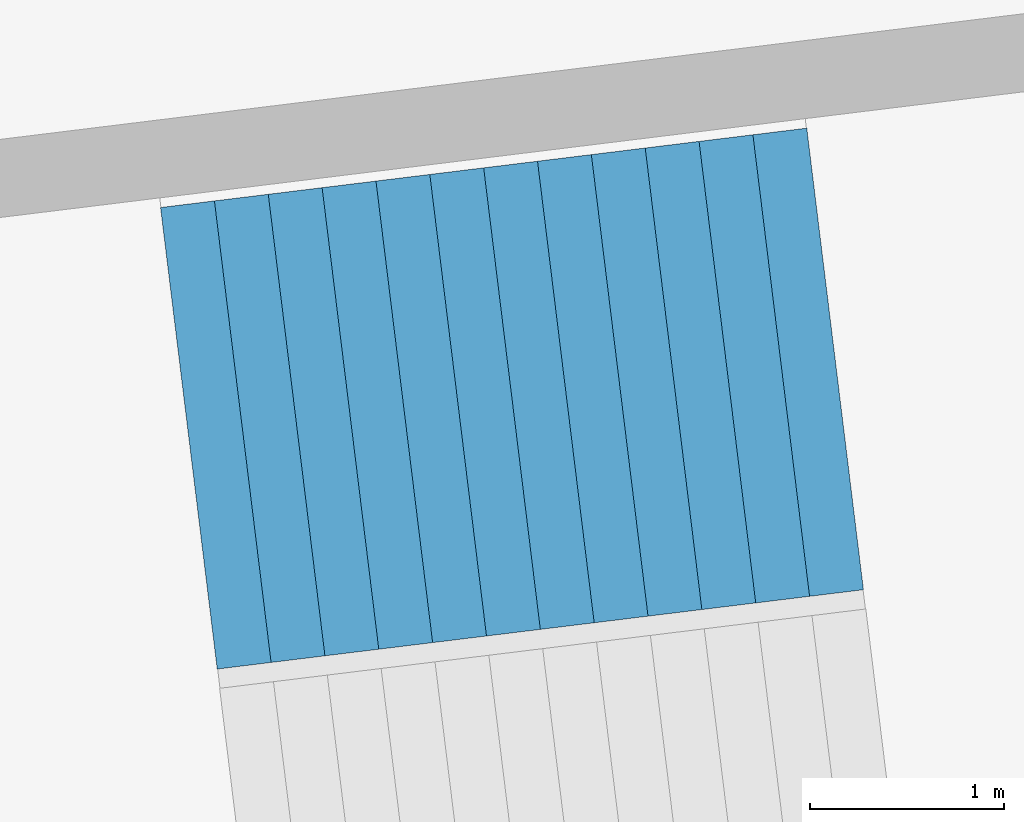
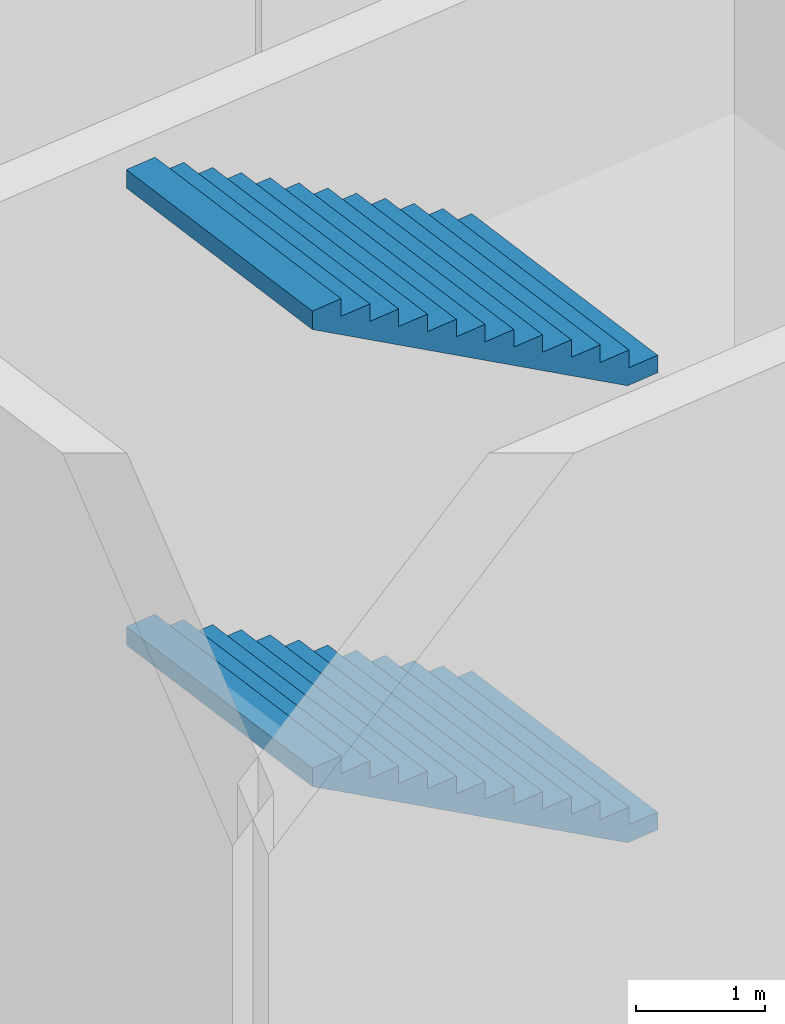
# One storey, part 40 of 47: 2 stair flights, 1 element without a shape of its own.
"""IFC4 building model written with IfcOpenShell, lengths in metres."""

from ifc_helpers import new_model, si_unit, direction, frame, origin, place, context, subcontext, project, spatial, triangles, material, type_object, element, aggregate, save


model = new_model("IFC4")

# Units and contexts
model_context = context("Model", 3, precision=1e-05, world=origin(), true_north=direction((0.0, 1.0)))
body_context = subcontext(model_context, "Body", "Model", "MODEL_VIEW")
ifc_project = project(units=[si_unit("LENGTHUNIT", "METRE"), si_unit("AREAUNIT", "SQUARE_METRE"), si_unit("VOLUMEUNIT", "CUBIC_METRE"), si_unit("PLANEANGLEUNIT", "RADIAN"), si_unit("MASSUNIT", "GRAM", prefix="KILO")], contexts=[model_context])

# Site, building, storey
site_placement = place(None, origin())
site = spatial("IfcSite", under=ifc_project, at=site_placement, CompositionType="ELEMENT")
building_placement = place(site_placement, origin())
building = spatial("IfcBuilding", under=site, at=building_placement, Name="Lantaw Convention Tower", CompositionType="ELEMENT")
storey_placement = place(building_placement, origin())
storey = spatial("IfcBuildingStorey", under=building, at=storey_placement, Name="L00", CompositionType="ELEMENT", Elevation=0.0)

# Stair, stair flights
ifc_material = material(Name="Concrete C35/45", Category="concrete")
stair_type = type_object("IfcStairType", Name="Exit stair 2400 riser 166.67 in 3 flights", PredefinedType="HALF_TURN_STAIR", material=ifc_material)
stair_placement = place(storey_placement, origin())
stair = element("IfcStair", 1, at=stair_placement, inside=storey, type_object=stair_type, Name="Podium exit stair P1 L00", PredefinedType="HALF_TURN_STAIR")
stair_flight_type = type_object("IfcStairFlightType", Name="Stair flight 2400 riser 166.67", PredefinedType="STRAIGHT", material=ifc_material)
stair_flight_1_placement = place(storey_placement, frame((41.306640625, 6.331298828125, 0.0), z_axis=(0.0, 0.0, 1.0), x_axis=(-0.992546151641, -0.121869343405, 0.0)))
stair_flight_1 = element("IfcStairFlight", 2, at=stair_flight_1_placement, type_object=stair_flight_type, Name="P1 flight 1", NumberOfRisers=13, NumberOfTreads=12, PredefinedType="STRAIGHT", RiserHeight=0.166666667, TreadLength=0.28, context=body_context, shape_type="Tessellation", body=[
    triangles([(0.0, 1.199951171875, 0.0), (0.0, 1.199951171875, 0.166666667), (0.28, 1.199951171875, 0.0), (0.28, 1.199951171875, 0.166666667), (0.28, 1.199951171875, 0.333333334), (0.29307345806906815, 1.199951171875, 0.0), (0.29307345806906815, 1.199951171875, 0.333333334), (0.56, 1.199951171875, 0.15888484670522912), (0.56, 1.199951171875, 0.333333334), (0.56, 1.199951171875, 0.500000001), (0.8400000000000001, 1.199951171875, 0.3255515137052291), (0.8400000000000001, 1.199951171875, 0.500000001), (0.8400000000000001, 1.199951171875, 0.666666668), (1.12, 1.199951171875, 0.49221818070522905), (1.12, 1.199951171875, 0.666666668), (1.12, 1.199951171875, 0.833333335), (1.4000000000000001, 1.199951171875, 0.658884847705229), (1.4000000000000001, 1.199951171875, 0.833333335), (1.4000000000000001, 1.199951171875, 1.000000002), (1.6800000000000002, 1.199951171875, 0.825551514705229), (1.6800000000000002, 1.199951171875, 1.000000002), (1.6800000000000002, 1.199951171875, 1.166666669), (1.9600000000000002, 1.199951171875, 0.992218181705229), (1.9600000000000002, 1.199951171875, 1.166666669), (1.9600000000000002, 1.199951171875, 1.333333336), (2.24, 1.199951171875, 1.158884848705229), (2.24, 1.199951171875, 1.333333336), (2.24, 1.199951171875, 1.5000000029999998), (2.5200000000000005, 1.199951171875, 1.325551515705229), (2.5200000000000005, 1.199951171875, 1.5000000029999998), (2.5200000000000005, 1.199951171875, 1.66666667), (2.8000000000000003, 1.199951171875, 1.492218182705229), (2.8000000000000003, 1.199951171875, 1.66666667), (2.8000000000000003, 1.199951171875, 1.833333337), (3.08, 1.199951171875, 1.6588848497052289), (3.08, 1.199951171875, 1.833333337), (3.08, 1.199951171875, 2.000000004), (3.3600000000000003, 1.199951171875, 1.825551516705229), (3.3600000000000003, 1.199951171875, 2.000000004), (0.0, -1.199951171875, 0.0), (0.0, -1.199951171875, 0.166666667), (0.28, -1.199951171875, 0.0), (0.28, -1.199951171875, 0.166666667), (0.28, -1.199951171875, 0.333333334), (0.29307345806906815, -1.199951171875, 0.0), (0.29307345806906815, -1.199951171875, 0.333333334), (0.56, -1.199951171875, 0.15888484670522912), (0.56, -1.199951171875, 0.333333334), (0.56, -1.199951171875, 0.500000001), (0.8400000000000001, -1.199951171875, 0.3255515137052291), (0.8400000000000001, -1.199951171875, 0.500000001), (0.8400000000000001, -1.199951171875, 0.666666668), (1.12, -1.199951171875, 0.49221818070522905), (1.12, -1.199951171875, 0.666666668), (1.12, -1.199951171875, 0.833333335), (1.4000000000000001, -1.199951171875, 0.658884847705229), (1.4000000000000001, -1.199951171875, 0.833333335), (1.4000000000000001, -1.199951171875, 1.000000002), (1.6800000000000002, -1.199951171875, 0.825551514705229), (1.6800000000000002, -1.199951171875, 1.000000002), (1.6800000000000002, -1.199951171875, 1.166666669), (1.9600000000000002, -1.199951171875, 0.992218181705229), (1.9600000000000002, -1.199951171875, 1.166666669), (1.9600000000000002, -1.199951171875, 1.333333336), (2.24, -1.199951171875, 1.158884848705229), (2.24, -1.199951171875, 1.333333336), (2.24, -1.199951171875, 1.5000000029999998), (2.5200000000000005, -1.199951171875, 1.325551515705229), (2.5200000000000005, -1.199951171875, 1.5000000029999998), (2.5200000000000005, -1.199951171875, 1.66666667), (2.8000000000000003, -1.199951171875, 1.492218182705229), (2.8000000000000003, -1.199951171875, 1.66666667), (2.8000000000000003, -1.199951171875, 1.833333337), (3.08, -1.199951171875, 1.6588848497052289), (3.08, -1.199951171875, 1.833333337), (3.08, -1.199951171875, 2.000000004), (3.3600000000000003, -1.199951171875, 1.825551516705229), (3.3600000000000003, -1.199951171875, 2.000000004), (0.0, 0.239990234375, 0.166666667), (0.0, 0.239990234375, 0.0), (0.0, 0.0, 0.166666667), (0.0, 0.0, 0.0), (0.0, -0.239990234375, 0.166666667), (0.0, -0.239990234375, 0.0), (0.28, 0.239990234375, 0.333333334), (0.28, 0.239990234375, 0.166666667), (0.28, 0.0, 0.333333334), (0.28, 0.0, 0.166666667), (0.28, -0.239990234375, 0.333333334), (0.28, -0.239990234375, 0.166666667), (0.56, 0.239990234375, 0.500000001), (0.56, 0.239990234375, 0.333333334), (0.56, 0.0, 0.500000001), (0.56, 0.0, 0.333333334), (0.56, -0.239990234375, 0.500000001), (0.56, -0.239990234375, 0.333333334), (0.8400000000000001, 0.239990234375, 0.666666668), (0.8400000000000001, 0.239990234375, 0.500000001), (0.8400000000000001, 0.0, 0.666666668), (0.8400000000000001, 0.0, 0.500000001), (0.8400000000000001, -0.239990234375, 0.666666668), (0.8400000000000001, -0.239990234375, 0.500000001), (1.12, 0.239990234375, 0.833333335), (1.12, 0.239990234375, 0.666666668), (1.12, 0.0, 0.833333335), (1.12, 0.0, 0.666666668), (1.12, -0.239990234375, 0.833333335), (1.12, -0.239990234375, 0.666666668), (1.4000000000000001, 0.239990234375, 1.000000002), (1.4000000000000001, 0.239990234375, 0.833333335), (1.4000000000000001, 0.0, 1.000000002), (1.4000000000000001, 0.0, 0.833333335), (1.4000000000000001, -0.239990234375, 1.000000002), (1.4000000000000001, -0.239990234375, 0.833333335), (1.6800000000000002, 0.239990234375, 1.166666669), (1.6800000000000002, 0.239990234375, 1.000000002), (1.6800000000000002, 0.0, 1.166666669), (1.6800000000000002, 0.0, 1.000000002), (1.6800000000000002, -0.239990234375, 1.166666669), (1.6800000000000002, -0.239990234375, 1.000000002), (1.9600000000000002, 0.239990234375, 1.333333336), (1.9600000000000002, 0.239990234375, 1.166666669), (1.9600000000000002, 0.0, 1.333333336), (1.9600000000000002, 0.0, 1.166666669), (1.9600000000000002, -0.239990234375, 1.333333336), (1.9600000000000002, -0.239990234375, 1.166666669), (2.24, 0.239990234375, 1.5000000029999998), (2.24, 0.239990234375, 1.333333336), (2.24, 0.0, 1.5000000029999998), (2.24, 0.0, 1.333333336), (2.24, -0.239990234375, 1.5000000029999998), (2.24, -0.239990234375, 1.333333336), (2.5200000000000005, 0.239990234375, 1.66666667), (2.5200000000000005, 0.239990234375, 1.5000000029999998), (2.5200000000000005, 0.0, 1.66666667), (2.5200000000000005, 0.0, 1.5000000029999998), (2.5200000000000005, -0.239990234375, 1.66666667), (2.5200000000000005, -0.239990234375, 1.5000000029999998), (2.8000000000000003, 0.239990234375, 1.833333337), (2.8000000000000003, 0.239990234375, 1.66666667), (2.8000000000000003, 0.0, 1.833333337), (2.8000000000000003, 0.0, 1.66666667), (2.8000000000000003, -0.239990234375, 1.833333337), (2.8000000000000003, -0.239990234375, 1.66666667), (3.08, 0.239990234375, 2.000000004), (3.08, 0.239990234375, 1.833333337), (3.08, 0.0, 2.000000004), (3.08, 0.0, 1.833333337), (3.08, -0.239990234375, 2.000000004), (3.08, -0.239990234375, 1.833333337), (0.29307345806906815, 0.239990234375, 0.333333334), (0.29307345806906815, 0.0, 0.333333334), (0.29307345806906815, -0.239990234375, 0.333333334), (3.3600000000000003, 0.239990234375, 2.000000004), (3.3600000000000003, 0.0, 2.000000004), (3.3600000000000003, -0.239990234375, 2.000000004), (3.3600000000000003, 0.239990234375, 1.8255515167052292), (3.3600000000000003, 0.0, 1.8255515167052292), (3.3600000000000003, -0.239990234375, 1.8255515167052292), (3.08, 0.239990234375, 1.6588848497052289), (3.08, 0.0, 1.6588848497052289), (3.08, -0.239990234375, 1.6588848497052289), (2.8000000000000003, 0.239990234375, 1.492218182705229), (2.8000000000000003, 0.0, 1.492218182705229), (2.8000000000000003, -0.239990234375, 1.492218182705229), (2.5200000000000005, 0.239990234375, 1.325551515705229), (2.5200000000000005, 0.0, 1.325551515705229), (2.5200000000000005, -0.239990234375, 1.325551515705229), (2.24, 0.239990234375, 1.158884848705229), (2.24, 0.0, 1.158884848705229), (2.24, -0.239990234375, 1.158884848705229), (1.9600000000000002, 0.239990234375, 0.992218181705229), (1.9600000000000002, 0.0, 0.992218181705229), (1.9600000000000002, -0.239990234375, 0.992218181705229), (1.6800000000000002, 0.239990234375, 0.825551514705229), (1.6800000000000002, 0.0, 0.825551514705229), (1.6800000000000002, -0.239990234375, 0.825551514705229), (1.4000000000000001, 0.239990234375, 0.658884847705229), (1.4000000000000001, 0.0, 0.658884847705229), (1.4000000000000001, -0.239990234375, 0.658884847705229), (1.12, 0.239990234375, 0.49221818070522905), (1.12, 0.0, 0.49221818070522905), (1.12, -0.239990234375, 0.49221818070522905), (0.8400000000000001, 0.239990234375, 0.3255515137052291), (0.8400000000000001, 0.0, 0.3255515137052291), (0.8400000000000001, -0.239990234375, 0.3255515137052291), (0.56, 0.239990234375, 0.15888484670522912), (0.56, 0.0, 0.15888484670522912), (0.56, -0.239990234375, 0.15888484670522912), (0.29307345806906815, 0.239990234375, 0.0), (0.29307345806906815, 0.0, 0.0), (0.29307345806906815, -0.239990234375, 0.0), (0.28, 0.239990234375, 0.0), (0.28, 0.0, 0.0), (0.28, -0.239990234375, 0.0)], [[1, 4, 3], [1, 2, 4], [3, 4, 6], [4, 7, 6], [4, 5, 7], [6, 9, 8], [6, 7, 9], [8, 9, 11], [9, 12, 11], [9, 10, 12], [11, 12, 14], [12, 15, 14], [12, 13, 15], [14, 15, 17], [15, 18, 17], [15, 16, 18], [17, 18, 20], [18, 21, 20], [18, 19, 21], [20, 21, 23], [21, 24, 23], [21, 22, 24], [23, 24, 26], [24, 27, 26], [24, 25, 27], [26, 27, 29], [27, 30, 29], [27, 28, 30], [29, 30, 32], [30, 33, 32], [30, 31, 33], [32, 33, 35], [33, 36, 35], [33, 34, 36], [35, 36, 38], [36, 39, 38], [36, 37, 39], [40, 42, 43], [40, 43, 41], [42, 45, 43], [43, 45, 46], [43, 46, 44], [45, 47, 48], [45, 48, 46], [47, 50, 48], [48, 50, 51], [48, 51, 49], [50, 53, 51], [51, 53, 54], [51, 54, 52], [53, 56, 54], [54, 56, 57], [54, 57, 55], [56, 59, 57], [57, 59, 60], [57, 60, 58], [59, 62, 60], [60, 62, 63], [60, 63, 61], [62, 65, 63], [63, 65, 66], [63, 66, 64], [65, 68, 66], [66, 68, 69], [66, 69, 67], [68, 71, 69], [69, 71, 72], [69, 72, 70], [71, 74, 72], [72, 74, 75], [72, 75, 73], [74, 77, 75], [75, 77, 78], [75, 78, 76], [1, 79, 2], [1, 80, 79], [80, 81, 79], [80, 82, 81], [82, 83, 81], [82, 84, 83], [84, 41, 83], [84, 40, 41], [4, 85, 5], [4, 86, 85], [86, 87, 85], [86, 88, 87], [88, 89, 87], [88, 90, 89], [90, 44, 89], [90, 43, 44], [9, 91, 10], [9, 92, 91], [92, 93, 91], [92, 94, 93], [94, 95, 93], [94, 96, 95], [96, 49, 95], [96, 48, 49], [12, 97, 13], [12, 98, 97], [98, 99, 97], [98, 100, 99], [100, 101, 99], [100, 102, 101], [102, 52, 101], [102, 51, 52], [15, 103, 16], [15, 104, 103], [104, 105, 103], [104, 106, 105], [106, 107, 105], [106, 108, 107], [108, 55, 107], [108, 54, 55], [18, 109, 19], [18, 110, 109], [110, 111, 109], [110, 112, 111], [112, 113, 111], [112, 114, 113], [114, 58, 113], [114, 57, 58], [21, 115, 22], [21, 116, 115], [116, 117, 115], [116, 118, 117], [118, 119, 117], [118, 120, 119], [120, 61, 119], [120, 60, 61], [24, 121, 25], [24, 122, 121], [122, 123, 121], [122, 124, 123], [124, 125, 123], [124, 126, 125], [126, 64, 125], [126, 63, 64], [27, 127, 28], [27, 128, 127], [128, 129, 127], [128, 130, 129], [130, 131, 129], [130, 132, 131], [132, 67, 131], [132, 66, 67], [30, 133, 31], [30, 134, 133], [134, 135, 133], [134, 136, 135], [136, 137, 135], [136, 138, 137], [138, 70, 137], [138, 69, 70], [33, 139, 34], [33, 140, 139], [140, 141, 139], [140, 142, 141], [142, 143, 141], [142, 144, 143], [144, 73, 143], [144, 72, 73], [36, 145, 37], [36, 146, 145], [146, 147, 145], [146, 148, 147], [148, 149, 147], [148, 150, 149], [150, 76, 149], [150, 75, 76], [2, 86, 4], [2, 79, 86], [79, 88, 86], [79, 81, 88], [81, 90, 88], [81, 83, 90], [83, 43, 90], [83, 41, 43], [5, 151, 7], [5, 85, 151], [85, 152, 151], [85, 87, 152], [87, 153, 152], [87, 89, 153], [89, 46, 153], [89, 44, 46], [7, 92, 9], [7, 151, 92], [151, 94, 92], [151, 152, 94], [152, 96, 94], [152, 153, 96], [153, 48, 96], [153, 46, 48], [10, 98, 12], [10, 91, 98], [91, 100, 98], [91, 93, 100], [93, 102, 100], [93, 95, 102], [95, 51, 102], [95, 49, 51], [13, 104, 15], [13, 97, 104], [97, 106, 104], [97, 99, 106], [99, 108, 106], [99, 101, 108], [101, 54, 108], [101, 52, 54], [16, 110, 18], [16, 103, 110], [103, 112, 110], [103, 105, 112], [105, 114, 112], [105, 107, 114], [107, 57, 114], [107, 55, 57], [19, 116, 21], [19, 109, 116], [109, 118, 116], [109, 111, 118], [111, 120, 118], [111, 113, 120], [113, 60, 120], [113, 58, 60], [22, 122, 24], [22, 115, 122], [115, 124, 122], [115, 117, 124], [117, 126, 124], [117, 119, 126], [119, 63, 126], [119, 61, 63], [25, 128, 27], [25, 121, 128], [121, 130, 128], [121, 123, 130], [123, 132, 130], [123, 125, 132], [125, 66, 132], [125, 64, 66], [28, 134, 30], [28, 127, 134], [127, 136, 134], [127, 129, 136], [129, 138, 136], [129, 131, 138], [131, 69, 138], [131, 67, 69], [31, 140, 33], [31, 133, 140], [133, 142, 140], [133, 135, 142], [135, 144, 142], [135, 137, 144], [137, 72, 144], [137, 70, 72], [34, 146, 36], [34, 139, 146], [139, 148, 146], [139, 141, 148], [141, 150, 148], [141, 143, 150], [143, 75, 150], [143, 73, 75], [37, 154, 39], [37, 145, 154], [145, 155, 154], [145, 147, 155], [147, 156, 155], [147, 149, 156], [149, 78, 156], [149, 76, 78], [39, 157, 38], [39, 154, 157], [154, 158, 157], [154, 155, 158], [155, 159, 158], [155, 156, 159], [156, 77, 159], [156, 78, 77], [38, 160, 35], [38, 157, 160], [157, 161, 160], [157, 158, 161], [158, 162, 161], [158, 159, 162], [159, 74, 162], [159, 77, 74], [35, 163, 32], [35, 160, 163], [160, 164, 163], [160, 161, 164], [161, 165, 164], [161, 162, 165], [162, 71, 165], [162, 74, 71], [32, 166, 29], [32, 163, 166], [163, 167, 166], [163, 164, 167], [164, 168, 167], [164, 165, 168], [165, 68, 168], [165, 71, 68], [29, 169, 26], [29, 166, 169], [166, 170, 169], [166, 167, 170], [167, 171, 170], [167, 168, 171], [168, 65, 171], [168, 68, 65], [26, 172, 23], [26, 169, 172], [169, 173, 172], [169, 170, 173], [170, 174, 173], [170, 171, 174], [171, 62, 174], [171, 65, 62], [23, 175, 20], [23, 172, 175], [172, 176, 175], [172, 173, 176], [173, 177, 176], [173, 174, 177], [174, 59, 177], [174, 62, 59], [20, 178, 17], [20, 175, 178], [175, 179, 178], [175, 176, 179], [176, 180, 179], [176, 177, 180], [177, 56, 180], [177, 59, 56], [17, 181, 14], [17, 178, 181], [178, 182, 181], [178, 179, 182], [179, 183, 182], [179, 180, 183], [180, 53, 183], [180, 56, 53], [14, 184, 11], [14, 181, 184], [181, 185, 184], [181, 182, 185], [182, 186, 185], [182, 183, 186], [183, 50, 186], [183, 53, 50], [11, 187, 8], [11, 184, 187], [184, 188, 187], [184, 185, 188], [185, 189, 188], [185, 186, 189], [186, 47, 189], [186, 50, 47], [8, 190, 6], [8, 187, 190], [187, 191, 190], [187, 188, 191], [188, 192, 191], [188, 189, 192], [189, 45, 192], [189, 47, 45], [6, 193, 3], [6, 190, 193], [190, 194, 193], [190, 191, 194], [191, 195, 194], [191, 192, 195], [192, 42, 195], [192, 45, 42], [3, 80, 1], [3, 193, 80], [193, 82, 80], [193, 194, 82], [194, 84, 82], [194, 195, 84], [195, 40, 84], [195, 42, 40]], closed=True),
])
stair_flight_2_placement = place(storey_placement, frame((41.306640625, 6.331298828125, 4.333251953125), z_axis=(0.0, 0.0, 1.0), x_axis=(-0.992546151641, -0.121869343405, 0.0)))
stair_flight_2 = element("IfcStairFlight", 3, at=stair_flight_2_placement, type_object=stair_flight_type, Name="P1 flight 3", NumberOfRisers=13, NumberOfTreads=12, PredefinedType="STRAIGHT", RiserHeight=0.166666667, TreadLength=0.28, context=body_context, shape_type="Tessellation", body=[
    triangles([(0.0, 1.199951171875, 0.0), (0.0, 1.199951171875, 0.166666667), (0.28, 1.199951171875, 0.0), (0.28, 1.199951171875, 0.166666667), (0.28, 1.199951171875, 0.333333334), (0.29307345806906815, 1.199951171875, 0.0), (0.29307345806906815, 1.199951171875, 0.333333334), (0.56, 1.199951171875, 0.15888484670522912), (0.56, 1.199951171875, 0.333333334), (0.56, 1.199951171875, 0.500000001), (0.8400000000000001, 1.199951171875, 0.3255515137052291), (0.8400000000000001, 1.199951171875, 0.500000001), (0.8400000000000001, 1.199951171875, 0.666666668), (1.12, 1.199951171875, 0.49221818070522905), (1.12, 1.199951171875, 0.666666668), (1.12, 1.199951171875, 0.833333335), (1.4000000000000001, 1.199951171875, 0.658884847705229), (1.4000000000000001, 1.199951171875, 0.833333335), (1.4000000000000001, 1.199951171875, 1.000000002), (1.6800000000000002, 1.199951171875, 0.825551514705229), (1.6800000000000002, 1.199951171875, 1.000000002), (1.6800000000000002, 1.199951171875, 1.166666669), (1.9600000000000002, 1.199951171875, 0.992218181705229), (1.9600000000000002, 1.199951171875, 1.166666669), (1.9600000000000002, 1.199951171875, 1.333333336), (2.24, 1.199951171875, 1.158884848705229), (2.24, 1.199951171875, 1.333333336), (2.24, 1.199951171875, 1.5000000029999998), (2.5200000000000005, 1.199951171875, 1.325551515705229), (2.5200000000000005, 1.199951171875, 1.5000000029999998), (2.5200000000000005, 1.199951171875, 1.66666667), (2.8000000000000003, 1.199951171875, 1.492218182705229), (2.8000000000000003, 1.199951171875, 1.66666667), (2.8000000000000003, 1.199951171875, 1.833333337), (3.08, 1.199951171875, 1.6588848497052289), (3.08, 1.199951171875, 1.833333337), (3.08, 1.199951171875, 2.000000004), (3.3600000000000003, 1.199951171875, 1.825551516705229), (3.3600000000000003, 1.199951171875, 2.000000004), (0.0, -1.199951171875, 0.0), (0.0, -1.199951171875, 0.166666667), (0.28, -1.199951171875, 0.0), (0.28, -1.199951171875, 0.166666667), (0.28, -1.199951171875, 0.333333334), (0.29307345806906815, -1.199951171875, 0.0), (0.29307345806906815, -1.199951171875, 0.333333334), (0.56, -1.199951171875, 0.15888484670522912), (0.56, -1.199951171875, 0.333333334), (0.56, -1.199951171875, 0.500000001), (0.8400000000000001, -1.199951171875, 0.3255515137052291), (0.8400000000000001, -1.199951171875, 0.500000001), (0.8400000000000001, -1.199951171875, 0.666666668), (1.12, -1.199951171875, 0.49221818070522905), (1.12, -1.199951171875, 0.666666668), (1.12, -1.199951171875, 0.833333335), (1.4000000000000001, -1.199951171875, 0.658884847705229), (1.4000000000000001, -1.199951171875, 0.833333335), (1.4000000000000001, -1.199951171875, 1.000000002), (1.6800000000000002, -1.199951171875, 0.825551514705229), (1.6800000000000002, -1.199951171875, 1.000000002), (1.6800000000000002, -1.199951171875, 1.166666669), (1.9600000000000002, -1.199951171875, 0.992218181705229), (1.9600000000000002, -1.199951171875, 1.166666669), (1.9600000000000002, -1.199951171875, 1.333333336), (2.24, -1.199951171875, 1.158884848705229), (2.24, -1.199951171875, 1.333333336), (2.24, -1.199951171875, 1.5000000029999998), (2.5200000000000005, -1.199951171875, 1.325551515705229), (2.5200000000000005, -1.199951171875, 1.5000000029999998), (2.5200000000000005, -1.199951171875, 1.66666667), (2.8000000000000003, -1.199951171875, 1.492218182705229), (2.8000000000000003, -1.199951171875, 1.66666667), (2.8000000000000003, -1.199951171875, 1.833333337), (3.08, -1.199951171875, 1.6588848497052289), (3.08, -1.199951171875, 1.833333337), (3.08, -1.199951171875, 2.000000004), (3.3600000000000003, -1.199951171875, 1.825551516705229), (3.3600000000000003, -1.199951171875, 2.000000004), (0.0, 0.239990234375, 0.166666667), (0.0, 0.239990234375, 0.0), (0.0, 0.0, 0.166666667), (0.0, 0.0, 0.0), (0.0, -0.239990234375, 0.166666667), (0.0, -0.239990234375, 0.0), (0.28, 0.239990234375, 0.333333334), (0.28, 0.239990234375, 0.166666667), (0.28, 0.0, 0.333333334), (0.28, 0.0, 0.166666667), (0.28, -0.239990234375, 0.333333334), (0.28, -0.239990234375, 0.166666667), (0.56, 0.239990234375, 0.500000001), (0.56, 0.239990234375, 0.333333334), (0.56, 0.0, 0.500000001), (0.56, 0.0, 0.333333334), (0.56, -0.239990234375, 0.500000001), (0.56, -0.239990234375, 0.333333334), (0.8400000000000001, 0.239990234375, 0.666666668), (0.8400000000000001, 0.239990234375, 0.500000001), (0.8400000000000001, 0.0, 0.666666668), (0.8400000000000001, 0.0, 0.500000001), (0.8400000000000001, -0.239990234375, 0.666666668), (0.8400000000000001, -0.239990234375, 0.500000001), (1.12, 0.239990234375, 0.833333335), (1.12, 0.239990234375, 0.666666668), (1.12, 0.0, 0.833333335), (1.12, 0.0, 0.666666668), (1.12, -0.239990234375, 0.833333335), (1.12, -0.239990234375, 0.666666668), (1.4000000000000001, 0.239990234375, 1.000000002), (1.4000000000000001, 0.239990234375, 0.833333335), (1.4000000000000001, 0.0, 1.000000002), (1.4000000000000001, 0.0, 0.833333335), (1.4000000000000001, -0.239990234375, 1.000000002), (1.4000000000000001, -0.239990234375, 0.833333335), (1.6800000000000002, 0.239990234375, 1.166666669), (1.6800000000000002, 0.239990234375, 1.000000002), (1.6800000000000002, 0.0, 1.166666669), (1.6800000000000002, 0.0, 1.000000002), (1.6800000000000002, -0.239990234375, 1.166666669), (1.6800000000000002, -0.239990234375, 1.000000002), (1.9600000000000002, 0.239990234375, 1.333333336), (1.9600000000000002, 0.239990234375, 1.166666669), (1.9600000000000002, 0.0, 1.333333336), (1.9600000000000002, 0.0, 1.166666669), (1.9600000000000002, -0.239990234375, 1.333333336), (1.9600000000000002, -0.239990234375, 1.166666669), (2.24, 0.239990234375, 1.5000000029999998), (2.24, 0.239990234375, 1.333333336), (2.24, 0.0, 1.5000000029999998), (2.24, 0.0, 1.333333336), (2.24, -0.239990234375, 1.5000000029999998), (2.24, -0.239990234375, 1.333333336), (2.5200000000000005, 0.239990234375, 1.66666667), (2.5200000000000005, 0.239990234375, 1.5000000029999998), (2.5200000000000005, 0.0, 1.66666667), (2.5200000000000005, 0.0, 1.5000000029999998), (2.5200000000000005, -0.239990234375, 1.66666667), (2.5200000000000005, -0.239990234375, 1.5000000029999998), (2.8000000000000003, 0.239990234375, 1.833333337), (2.8000000000000003, 0.239990234375, 1.66666667), (2.8000000000000003, 0.0, 1.833333337), (2.8000000000000003, 0.0, 1.66666667), (2.8000000000000003, -0.239990234375, 1.833333337), (2.8000000000000003, -0.239990234375, 1.66666667), (3.08, 0.239990234375, 2.000000004), (3.08, 0.239990234375, 1.833333337), (3.08, 0.0, 2.000000004), (3.08, 0.0, 1.833333337), (3.08, -0.239990234375, 2.000000004), (3.08, -0.239990234375, 1.833333337), (0.29307345806906815, 0.239990234375, 0.333333334), (0.29307345806906815, 0.0, 0.333333334), (0.29307345806906815, -0.239990234375, 0.333333334), (3.3600000000000003, 0.239990234375, 2.000000004), (3.3600000000000003, 0.0, 2.000000004), (3.3600000000000003, -0.239990234375, 2.000000004), (3.3600000000000003, 0.239990234375, 1.8255515167052292), (3.3600000000000003, 0.0, 1.8255515167052292), (3.3600000000000003, -0.239990234375, 1.8255515167052292), (3.08, 0.239990234375, 1.6588848497052289), (3.08, 0.0, 1.6588848497052289), (3.08, -0.239990234375, 1.6588848497052289), (2.8000000000000003, 0.239990234375, 1.492218182705229), (2.8000000000000003, 0.0, 1.492218182705229), (2.8000000000000003, -0.239990234375, 1.492218182705229), (2.5200000000000005, 0.239990234375, 1.325551515705229), (2.5200000000000005, 0.0, 1.325551515705229), (2.5200000000000005, -0.239990234375, 1.325551515705229), (2.24, 0.239990234375, 1.158884848705229), (2.24, 0.0, 1.158884848705229), (2.24, -0.239990234375, 1.158884848705229), (1.9600000000000002, 0.239990234375, 0.992218181705229), (1.9600000000000002, 0.0, 0.992218181705229), (1.9600000000000002, -0.239990234375, 0.992218181705229), (1.6800000000000002, 0.239990234375, 0.825551514705229), (1.6800000000000002, 0.0, 0.825551514705229), (1.6800000000000002, -0.239990234375, 0.825551514705229), (1.4000000000000001, 0.239990234375, 0.658884847705229), (1.4000000000000001, 0.0, 0.658884847705229), (1.4000000000000001, -0.239990234375, 0.658884847705229), (1.12, 0.239990234375, 0.49221818070522905), (1.12, 0.0, 0.49221818070522905), (1.12, -0.239990234375, 0.49221818070522905), (0.8400000000000001, 0.239990234375, 0.3255515137052291), (0.8400000000000001, 0.0, 0.3255515137052291), (0.8400000000000001, -0.239990234375, 0.3255515137052291), (0.56, 0.239990234375, 0.15888484670522912), (0.56, 0.0, 0.15888484670522912), (0.56, -0.239990234375, 0.15888484670522912), (0.29307345806906815, 0.239990234375, 0.0), (0.29307345806906815, 0.0, 0.0), (0.29307345806906815, -0.239990234375, 0.0), (0.28, 0.239990234375, 0.0), (0.28, 0.0, 0.0), (0.28, -0.239990234375, 0.0)], [[1, 4, 3], [1, 2, 4], [3, 4, 6], [4, 7, 6], [4, 5, 7], [6, 9, 8], [6, 7, 9], [8, 9, 11], [9, 12, 11], [9, 10, 12], [11, 12, 14], [12, 15, 14], [12, 13, 15], [14, 15, 17], [15, 18, 17], [15, 16, 18], [17, 18, 20], [18, 21, 20], [18, 19, 21], [20, 21, 23], [21, 24, 23], [21, 22, 24], [23, 24, 26], [24, 27, 26], [24, 25, 27], [26, 27, 29], [27, 30, 29], [27, 28, 30], [29, 30, 32], [30, 33, 32], [30, 31, 33], [32, 33, 35], [33, 36, 35], [33, 34, 36], [35, 36, 38], [36, 39, 38], [36, 37, 39], [40, 42, 43], [40, 43, 41], [42, 45, 43], [43, 45, 46], [43, 46, 44], [45, 47, 48], [45, 48, 46], [47, 50, 48], [48, 50, 51], [48, 51, 49], [50, 53, 51], [51, 53, 54], [51, 54, 52], [53, 56, 54], [54, 56, 57], [54, 57, 55], [56, 59, 57], [57, 59, 60], [57, 60, 58], [59, 62, 60], [60, 62, 63], [60, 63, 61], [62, 65, 63], [63, 65, 66], [63, 66, 64], [65, 68, 66], [66, 68, 69], [66, 69, 67], [68, 71, 69], [69, 71, 72], [69, 72, 70], [71, 74, 72], [72, 74, 75], [72, 75, 73], [74, 77, 75], [75, 77, 78], [75, 78, 76], [1, 79, 2], [1, 80, 79], [80, 81, 79], [80, 82, 81], [82, 83, 81], [82, 84, 83], [84, 41, 83], [84, 40, 41], [4, 85, 5], [4, 86, 85], [86, 87, 85], [86, 88, 87], [88, 89, 87], [88, 90, 89], [90, 44, 89], [90, 43, 44], [9, 91, 10], [9, 92, 91], [92, 93, 91], [92, 94, 93], [94, 95, 93], [94, 96, 95], [96, 49, 95], [96, 48, 49], [12, 97, 13], [12, 98, 97], [98, 99, 97], [98, 100, 99], [100, 101, 99], [100, 102, 101], [102, 52, 101], [102, 51, 52], [15, 103, 16], [15, 104, 103], [104, 105, 103], [104, 106, 105], [106, 107, 105], [106, 108, 107], [108, 55, 107], [108, 54, 55], [18, 109, 19], [18, 110, 109], [110, 111, 109], [110, 112, 111], [112, 113, 111], [112, 114, 113], [114, 58, 113], [114, 57, 58], [21, 115, 22], [21, 116, 115], [116, 117, 115], [116, 118, 117], [118, 119, 117], [118, 120, 119], [120, 61, 119], [120, 60, 61], [24, 121, 25], [24, 122, 121], [122, 123, 121], [122, 124, 123], [124, 125, 123], [124, 126, 125], [126, 64, 125], [126, 63, 64], [27, 127, 28], [27, 128, 127], [128, 129, 127], [128, 130, 129], [130, 131, 129], [130, 132, 131], [132, 67, 131], [132, 66, 67], [30, 133, 31], [30, 134, 133], [134, 135, 133], [134, 136, 135], [136, 137, 135], [136, 138, 137], [138, 70, 137], [138, 69, 70], [33, 139, 34], [33, 140, 139], [140, 141, 139], [140, 142, 141], [142, 143, 141], [142, 144, 143], [144, 73, 143], [144, 72, 73], [36, 145, 37], [36, 146, 145], [146, 147, 145], [146, 148, 147], [148, 149, 147], [148, 150, 149], [150, 76, 149], [150, 75, 76], [2, 86, 4], [2, 79, 86], [79, 88, 86], [79, 81, 88], [81, 90, 88], [81, 83, 90], [83, 43, 90], [83, 41, 43], [5, 151, 7], [5, 85, 151], [85, 152, 151], [85, 87, 152], [87, 153, 152], [87, 89, 153], [89, 46, 153], [89, 44, 46], [7, 92, 9], [7, 151, 92], [151, 94, 92], [151, 152, 94], [152, 96, 94], [152, 153, 96], [153, 48, 96], [153, 46, 48], [10, 98, 12], [10, 91, 98], [91, 100, 98], [91, 93, 100], [93, 102, 100], [93, 95, 102], [95, 51, 102], [95, 49, 51], [13, 104, 15], [13, 97, 104], [97, 106, 104], [97, 99, 106], [99, 108, 106], [99, 101, 108], [101, 54, 108], [101, 52, 54], [16, 110, 18], [16, 103, 110], [103, 112, 110], [103, 105, 112], [105, 114, 112], [105, 107, 114], [107, 57, 114], [107, 55, 57], [19, 116, 21], [19, 109, 116], [109, 118, 116], [109, 111, 118], [111, 120, 118], [111, 113, 120], [113, 60, 120], [113, 58, 60], [22, 122, 24], [22, 115, 122], [115, 124, 122], [115, 117, 124], [117, 126, 124], [117, 119, 126], [119, 63, 126], [119, 61, 63], [25, 128, 27], [25, 121, 128], [121, 130, 128], [121, 123, 130], [123, 132, 130], [123, 125, 132], [125, 66, 132], [125, 64, 66], [28, 134, 30], [28, 127, 134], [127, 136, 134], [127, 129, 136], [129, 138, 136], [129, 131, 138], [131, 69, 138], [131, 67, 69], [31, 140, 33], [31, 133, 140], [133, 142, 140], [133, 135, 142], [135, 144, 142], [135, 137, 144], [137, 72, 144], [137, 70, 72], [34, 146, 36], [34, 139, 146], [139, 148, 146], [139, 141, 148], [141, 150, 148], [141, 143, 150], [143, 75, 150], [143, 73, 75], [37, 154, 39], [37, 145, 154], [145, 155, 154], [145, 147, 155], [147, 156, 155], [147, 149, 156], [149, 78, 156], [149, 76, 78], [39, 157, 38], [39, 154, 157], [154, 158, 157], [154, 155, 158], [155, 159, 158], [155, 156, 159], [156, 77, 159], [156, 78, 77], [38, 160, 35], [38, 157, 160], [157, 161, 160], [157, 158, 161], [158, 162, 161], [158, 159, 162], [159, 74, 162], [159, 77, 74], [35, 163, 32], [35, 160, 163], [160, 164, 163], [160, 161, 164], [161, 165, 164], [161, 162, 165], [162, 71, 165], [162, 74, 71], [32, 166, 29], [32, 163, 166], [163, 167, 166], [163, 164, 167], [164, 168, 167], [164, 165, 168], [165, 68, 168], [165, 71, 68], [29, 169, 26], [29, 166, 169], [166, 170, 169], [166, 167, 170], [167, 171, 170], [167, 168, 171], [168, 65, 171], [168, 68, 65], [26, 172, 23], [26, 169, 172], [169, 173, 172], [169, 170, 173], [170, 174, 173], [170, 171, 174], [171, 62, 174], [171, 65, 62], [23, 175, 20], [23, 172, 175], [172, 176, 175], [172, 173, 176], [173, 177, 176], [173, 174, 177], [174, 59, 177], [174, 62, 59], [20, 178, 17], [20, 175, 178], [175, 179, 178], [175, 176, 179], [176, 180, 179], [176, 177, 180], [177, 56, 180], [177, 59, 56], [17, 181, 14], [17, 178, 181], [178, 182, 181], [178, 179, 182], [179, 183, 182], [179, 180, 183], [180, 53, 183], [180, 56, 53], [14, 184, 11], [14, 181, 184], [181, 185, 184], [181, 182, 185], [182, 186, 185], [182, 183, 186], [183, 50, 186], [183, 53, 50], [11, 187, 8], [11, 184, 187], [184, 188, 187], [184, 185, 188], [185, 189, 188], [185, 186, 189], [186, 47, 189], [186, 50, 47], [8, 190, 6], [8, 187, 190], [187, 191, 190], [187, 188, 191], [188, 192, 191], [188, 189, 192], [189, 45, 192], [189, 47, 45], [6, 193, 3], [6, 190, 193], [190, 194, 193], [190, 191, 194], [191, 195, 194], [191, 192, 195], [192, 42, 195], [192, 45, 42], [3, 80, 1], [3, 193, 80], [193, 82, 80], [193, 194, 82], [194, 84, 82], [194, 195, 84], [195, 40, 84], [195, 42, 40]], closed=True),
])
aggregate(stair, [stair_flight_1, stair_flight_2])

save(model, "model.ifc")
